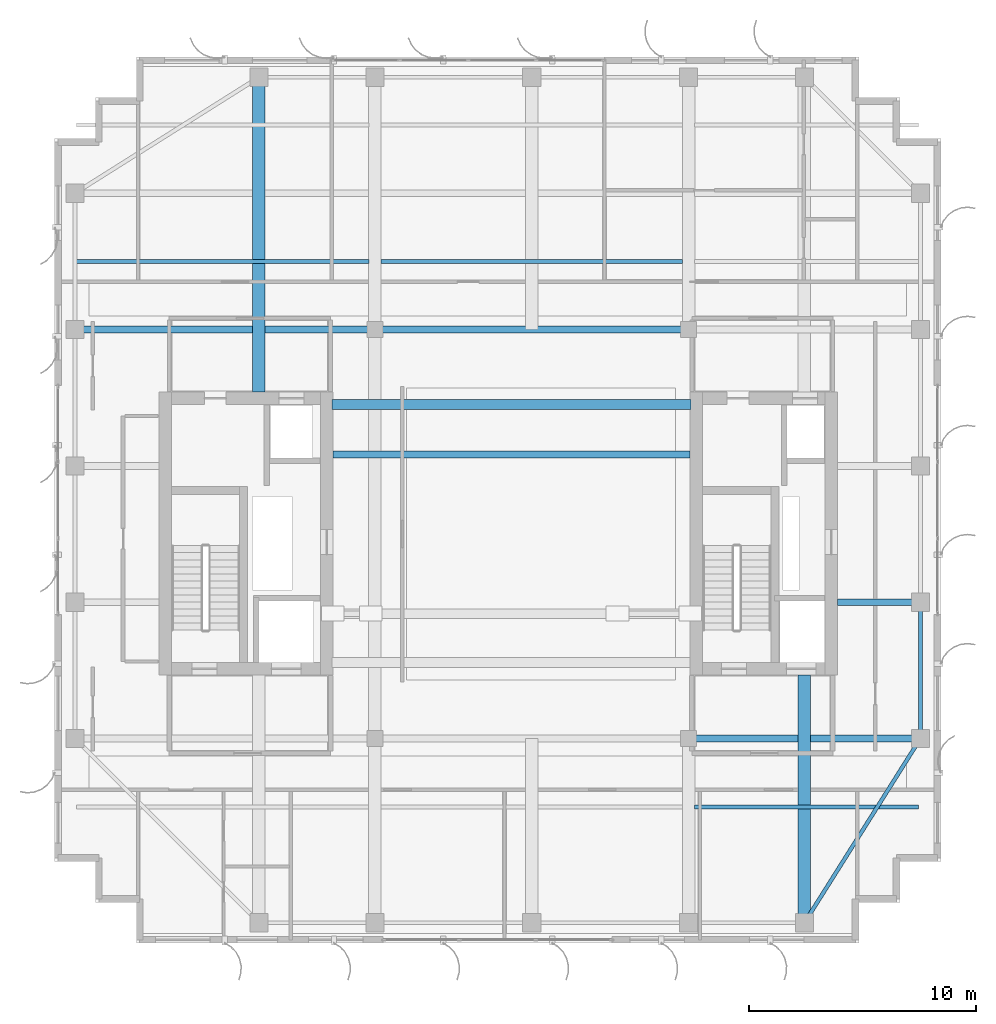
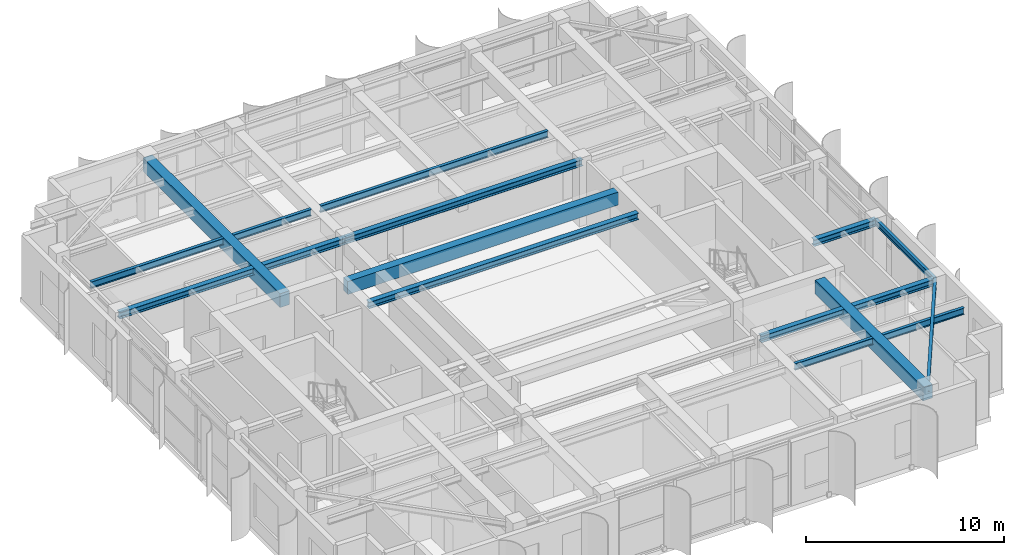
# One storey, part 11 of 26: 13 beams.
"""IFC4 building model written with IfcOpenShell, lengths in metres."""

from ifc_helpers import new_model, si_unit, direction, frame, origin, origin_2d, place, context, subcontext, project, spatial, rectangle, i_section, extrude, source, transform, mapped, material, material_profile, profile_set, type_object, element, save


model = new_model("IFC4")

# Units and contexts
model_context = context("Model", 3, precision=1e-05, world=origin(), true_north=direction((0.0, 1.0)))
body_context = subcontext(model_context, "Body", "Model", "MODEL_VIEW")
ifc_project = project(units=[si_unit("LENGTHUNIT", "METRE"), si_unit("AREAUNIT", "SQUARE_METRE"), si_unit("VOLUMEUNIT", "CUBIC_METRE"), si_unit("PLANEANGLEUNIT", "RADIAN"), si_unit("MASSUNIT", "GRAM", prefix="KILO")], contexts=[model_context])

# Site, building, storey
site_placement = place(None, origin())
site = spatial("IfcSite", under=ifc_project, at=site_placement, CompositionType="ELEMENT")
building_placement = place(site_placement, origin())
building = spatial("IfcBuilding", under=site, at=building_placement, Name="Khoralis Quay Care Tower", CompositionType="ELEMENT")
storey_placement = place(building_placement, frame((0.0, 0.0, 289.5)))
storey = spatial("IfcBuildingStorey", under=building, at=storey_placement, Name="L76", CompositionType="ELEMENT", Elevation=289.5)

# Beams
ifc_material_1 = material(Name="Concrete C50/60", Category="concrete")
ifc_material_profile_1 = material_profile(ifc_material_1, rectangle(XDim=0.449951171875, YDim=0.800048828125, at=origin_2d()), Name="Concrete C50/60")
ifc_profile_set_1 = profile_set([ifc_material_profile_1], Name="Concrete C50/60")
beam_type_1 = type_object("IfcBeamType", Name="CB-RC450X800", PredefinedType="LINTEL", material=ifc_profile_set_1)
shared_shape_1 = source(origin(), body_context, "Body", "SweptSolid", [
    extrude(rectangle(XDim=0.449951171875, YDim=0.800048828125, at=origin_2d()), origin(), (0.0, 0.0, 1.0), 15.780029296875),
])
beam_1_placement = place(storey_placement, frame((15.219970703125, 26.699951171875, 3.52001953125), z_axis=(1.0, 0.0, 0.0), x_axis=(0.0, 1.0, 0.0)))
element("IfcBeam", 1, at=beam_1_placement, inside=storey, type_object=beam_type_1, Name="L76 North Core Coupling Lintel", PredefinedType="LINTEL", context=body_context, shape_type="MappedRepresentation", body=[
    mapped(shared_shape_1, transform((0.0, 0.0, 0.0), scale=1.0)),
])
ifc_material_2 = material(Name="Steel S355", Category="steel")
ifc_material_profile_2 = material_profile(ifc_material_2, i_section(OverallWidth=0.169921875, OverallDepth=0.360107421875, WebThickness=0.008056640625, FlangeThickness=0.0126953125, FilletRadius=0.01806640625, at=origin_2d()), Name="Steel S355")
ifc_profile_set_2 = profile_set([ifc_material_profile_2], Name="Steel S355")
beam_type_2 = type_object("IfcBeamType", Name="BM-IPE360", PredefinedType="SPANDREL", material=ifc_profile_set_2)
shared_shape_2 = source(origin(), body_context, "Body", "SweptSolid", [
    extrude(i_section(OverallWidth=0.169921875, OverallDepth=0.360107421875, WebThickness=0.008056640625, FlangeThickness=0.0126953125, FilletRadius=0.01806640625, at=origin_2d()), origin(), (0.0, 0.0, 1.0), 6.0),
])
beam_2_placement = place(storey_placement, frame((41.10009765625, 12.0, 3.739990234375), z_axis=(0.0, 1.0, 0.0), x_axis=(-1.0, 0.0, 0.0)))
element("IfcBeam", 2, at=beam_2_placement, inside=storey, type_object=beam_type_2, Name="BM-TSP-L76-13", PredefinedType="SPANDREL", context=body_context, shape_type="MappedRepresentation", body=[
    mapped(shared_shape_2, transform((0.0, 0.0, 0.0), scale=1.0)),
])
shared_shape_3 = source(origin(), body_context, "Body", "SweptSolid", [
    extrude(i_section(OverallWidth=0.169921875, OverallDepth=0.360107421875, WebThickness=0.008056640625, FlangeThickness=0.0126953125, FilletRadius=0.01806640625, at=origin_2d()), origin(), (0.0, 0.0, 1.0), 9.572021484375),
])
beam_3_placement = place(storey_placement, frame((36.0, 3.89990234375, 3.739990234375), z_axis=(0.532815975602, 0.846231136359, 0.0), x_axis=(-0.846231136359, 0.532815975602, 0.0)))
element("IfcBeam", 3, at=beam_3_placement, inside=storey, type_object=beam_type_2, Name="BM-TCR-L76-18", PredefinedType="SPANDREL", context=body_context, shape_type="MappedRepresentation", body=[
    mapped(shared_shape_3, transform((0.0, 0.0, 0.0), scale=1.0)),
])
ifc_material_profile_3 = material_profile(ifc_material_2, i_section(OverallWidth=0.300048828125, OverallDepth=0.39990234375, WebThickness=0.013427734375, FlangeThickness=0.02392578125, FilletRadius=0.027099609375, at=origin_2d()), Name="Steel S355")
ifc_profile_set_3 = profile_set([ifc_material_profile_3], Name="Steel S355")
beam_type_3 = type_object("IfcBeamType", Name="BM-HEB400", PredefinedType="BEAM", material=ifc_profile_set_3)
shared_shape_4 = source(origin(), body_context, "Body", "SweptSolid", [
    extrude(i_section(OverallWidth=0.300048828125, OverallDepth=0.39990234375, WebThickness=0.013427734375, FlangeThickness=0.02392578125, FilletRadius=0.027099609375, at=origin_2d()), origin(), (0.0, 0.0, 1.0), 13.2001953125),
])
beam_4_placement = place(storey_placement, frame((3.89990234375, 30.0, 3.719970703125), z_axis=(1.0, 0.0, 0.0), x_axis=(0.0, 1.0, 0.0)))
element("IfcBeam", 4, at=beam_4_placement, inside=storey, type_object=beam_type_3, Name="BM-TGXW-L76-300", PredefinedType="BEAM", context=body_context, shape_type="MappedRepresentation", body=[
    mapped(shared_shape_4, transform((0.0, 0.0, 0.0), scale=1.0)),
])
shared_shape_5 = source(origin(), body_context, "Body", "SweptSolid", [
    extrude(i_section(OverallWidth=0.300048828125, OverallDepth=0.39990234375, WebThickness=0.013427734375, FlangeThickness=0.02392578125, FilletRadius=0.027099609375, at=origin_2d()), origin(), (0.0, 0.0, 1.0), 10.2001953125),
])
beam_5_placement = place(storey_placement, frame((30.89990234375, 12.0, 3.719970703125), z_axis=(1.0, 0.0, 0.0), x_axis=(0.0, 1.0, 0.0)))
element("IfcBeam", 5, at=beam_5_placement, inside=storey, type_object=beam_type_3, Name="BM-TGXE-L76-120", PredefinedType="BEAM", context=body_context, shape_type="MappedRepresentation", body=[
    mapped(shared_shape_5, transform((0.0, 0.0, 0.0), scale=1.0)),
])
shared_shape_6 = source(origin(), body_context, "Body", "SweptSolid", [
    extrude(i_section(OverallWidth=0.300048828125, OverallDepth=0.39990234375, WebThickness=0.013427734375, FlangeThickness=0.02392578125, FilletRadius=0.027099609375, at=origin_2d()), origin(), (0.0, 0.0, 1.0), 3.652099609375),
])
beam_6_placement = place(storey_placement, frame((37.447998046875, 18.0, 3.719970703125), z_axis=(1.0, 0.0, 0.0), x_axis=(0.0, 1.0, 0.0)))
element("IfcBeam", 6, at=beam_6_placement, inside=storey, type_object=beam_type_3, Name="BM-TGXE-L76-180", PredefinedType="BEAM", context=body_context, shape_type="MappedRepresentation", body=[
    mapped(shared_shape_6, transform((0.0, 0.0, 0.0), scale=1.0)),
])
ifc_material_profile_4 = material_profile(ifc_material_1, rectangle(XDim=0.550048828125, YDim=0.85009765625, at=origin_2d()), Name="Concrete C50/60")
ifc_profile_set_4 = profile_set([ifc_material_profile_4], Name="Concrete C50/60")
beam_type_4 = type_object("IfcBeamType", Name="BM-RC550X850", PredefinedType="BEAM", material=ifc_profile_set_4)
shared_shape_7 = source(origin(), body_context, "Body", "SweptSolid", [
    extrude(rectangle(XDim=0.550048828125, YDim=0.85009765625, at=origin_2d()), origin(), (0.0, 0.0, 1.0), 10.902099609375),
])
beam_7_placement = place(storey_placement, frame((36.0, 3.89990234375, 3.4951171875), z_axis=(0.0, 1.0, 0.0), x_axis=(-1.0, 0.0, 0.0)))
element("IfcBeam", 7, at=beam_7_placement, inside=storey, type_object=beam_type_4, Name="BM-TGYS-L76-360", PredefinedType="BEAM", context=body_context, shape_type="MappedRepresentation", body=[
    mapped(shared_shape_7, transform((0.0, 0.0, 0.0), scale=1.0)),
])
shared_shape_8 = source(origin(), body_context, "Body", "SweptSolid", [
    extrude(rectangle(XDim=0.550048828125, YDim=0.85009765625, at=origin_2d()), origin(), (0.0, 0.0, 1.0), 13.85205078125),
])
beam_8_placement = place(storey_placement, frame((12.0, 27.248046875, 3.4951171875), z_axis=(0.0, 1.0, 0.0), x_axis=(-1.0, 0.0, 0.0)))
element("IfcBeam", 8, at=beam_8_placement, inside=storey, type_object=beam_type_4, Name="BM-TGYN-L76-120", PredefinedType="BEAM", context=body_context, shape_type="MappedRepresentation", body=[
    mapped(shared_shape_8, transform((0.0, 0.0, 0.0), scale=1.0)),
])
ifc_material_profile_5 = material_profile(ifc_material_2, i_section(OverallWidth=0.177978515625, OverallDepth=0.406982421875, WebThickness=0.0078125, FlangeThickness=0.0126953125, FilletRadius=0.012939453125, at=origin_2d()), Name="Steel S355")
ifc_profile_set_5 = profile_set([ifc_material_profile_5], Name="Steel S355")
beam_type_5 = type_object("IfcBeamType", Name="BM-W410X60", PredefinedType="JOIST", material=ifc_profile_set_5)
shared_shape_9 = source(origin(), body_context, "Body", "SweptSolid", [
    extrude(i_section(OverallWidth=0.177978515625, OverallDepth=0.406982421875, WebThickness=0.0078125, FlangeThickness=0.0126953125, FilletRadius=0.012939453125, at=origin_2d()), origin(), (0.0, 0.0, 1.0), 12.865966796875),
])
beam_9_placement = place(storey_placement, frame((3.970947265625, 33.0, 3.716552734375), z_axis=(1.0, 0.0, 0.0), x_axis=(0.0, 1.0, 0.0)))
element("IfcBeam", 9, at=beam_9_placement, inside=storey, type_object=beam_type_5, Name="BM-TJS-L76-24", PredefinedType="JOIST", context=body_context, shape_type="MappedRepresentation", body=[
    mapped(shared_shape_9, transform((0.0, 0.0, 0.0), scale=1.0)),
])
shared_shape_10 = source(origin(), body_context, "Body", "SweptSolid", [
    extrude(i_section(OverallWidth=0.177978515625, OverallDepth=0.406982421875, WebThickness=0.0078125, FlangeThickness=0.0126953125, FilletRadius=0.012939453125, at=origin_2d()), origin(), (0.0, 0.0, 1.0), 9.865966796875),
])
beam_10_placement = place(storey_placement, frame((31.1630859375, 9.0, 3.716552734375), z_axis=(1.0, 0.0, 0.0), x_axis=(0.0, 1.0, 0.0)))
element("IfcBeam", 10, at=beam_10_placement, inside=storey, type_object=beam_type_5, Name="BM-TJS-L76-22", PredefinedType="JOIST", context=body_context, shape_type="MappedRepresentation", body=[
    mapped(shared_shape_10, transform((0.0, 0.0, 0.0), scale=1.0)),
])
shared_shape_11 = source(origin(), body_context, "Body", "SweptSolid", [
    extrude(i_section(OverallWidth=0.300048828125, OverallDepth=0.39990234375, WebThickness=0.013427734375, FlangeThickness=0.02392578125, FilletRadius=0.027099609375, at=origin_2d()), origin(), (0.0, 0.0, 1.0), 13.7998046875),
])
beam_11_placement = place(storey_placement, frame((17.10009765625, 30.0, 3.719970703125), z_axis=(1.0, 0.0, 0.0), x_axis=(0.0, 1.0, 0.0)))
element("IfcBeam", 11, at=beam_11_placement, inside=storey, type_object=beam_type_3, Name="BM-TGCC-L76-300", PredefinedType="BEAM", context=body_context, shape_type="MappedRepresentation", body=[
    mapped(shared_shape_11, transform((0.0, 0.0, 0.0), scale=1.0)),
])
shared_shape_12 = source(origin(), body_context, "Body", "SweptSolid", [
    extrude(i_section(OverallWidth=0.300048828125, OverallDepth=0.39990234375, WebThickness=0.013427734375, FlangeThickness=0.02392578125, FilletRadius=0.027099609375, at=origin_2d()), origin(), (0.0, 0.0, 1.0), 15.723876953125),
])
beam_12_placement = place(storey_placement, frame((15.248046875, 24.5, 3.719970703125), z_axis=(1.0, 0.0, 0.0), x_axis=(0.0, 1.0, 0.0)))
element("IfcBeam", 12, at=beam_12_placement, inside=storey, type_object=beam_type_3, Name="BM-TGCC-L76-245", PredefinedType="BEAM", context=body_context, shape_type="MappedRepresentation", body=[
    mapped(shared_shape_12, transform((0.0, 0.0, 0.0), scale=1.0)),
])
shared_shape_13 = source(origin(), body_context, "Body", "SweptSolid", [
    extrude(i_section(OverallWidth=0.177978515625, OverallDepth=0.406982421875, WebThickness=0.0078125, FlangeThickness=0.0126953125, FilletRadius=0.012939453125, at=origin_2d()), origin(), (0.0, 0.0, 1.0), 13.27392578125),
])
beam_13_placement = place(storey_placement, frame((17.363037109375, 33.0, 3.716552734375), z_axis=(1.0, 0.0, 0.0), x_axis=(0.0, 1.0, 0.0)))
element("IfcBeam", 13, at=beam_13_placement, inside=storey, type_object=beam_type_5, Name="BM-TJS-L76-26", PredefinedType="JOIST", context=body_context, shape_type="MappedRepresentation", body=[
    mapped(shared_shape_13, transform((0.0, 0.0, 0.0), scale=1.0)),
])

save(model, "model.ifc")
